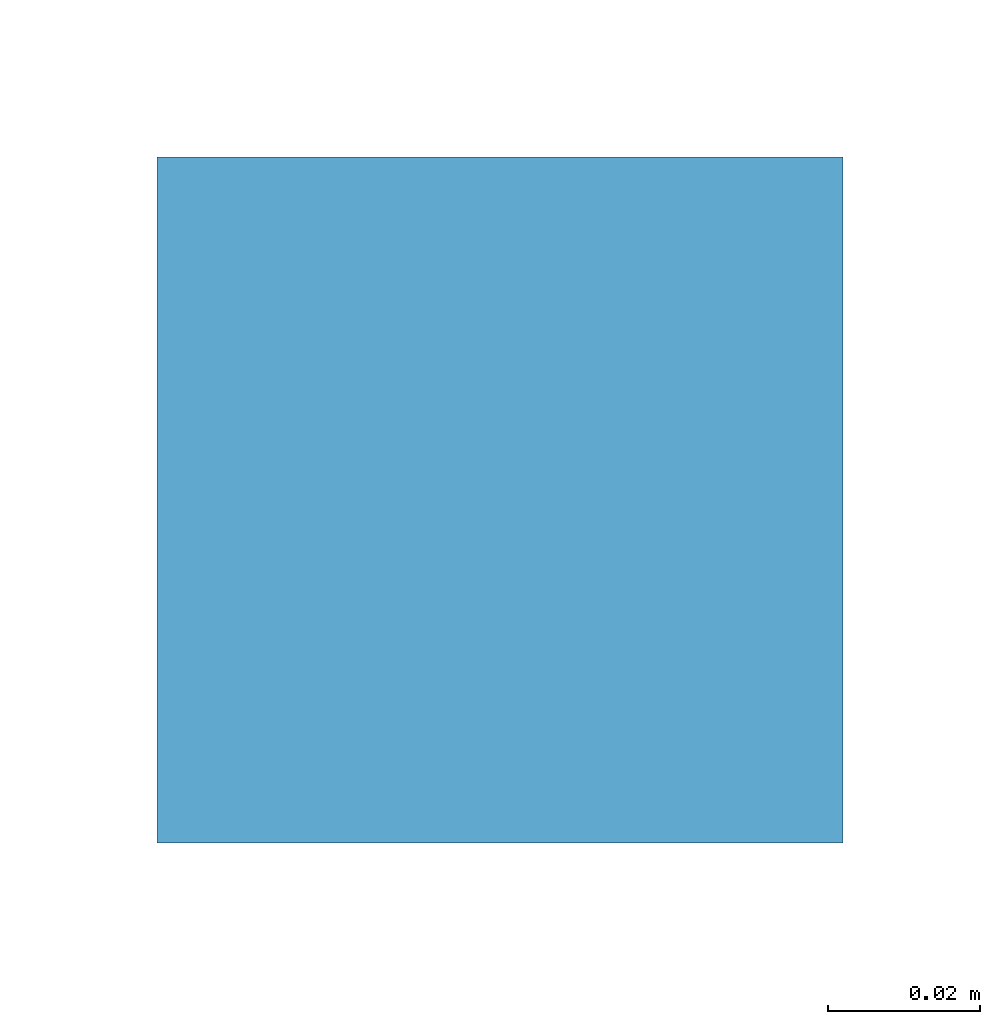
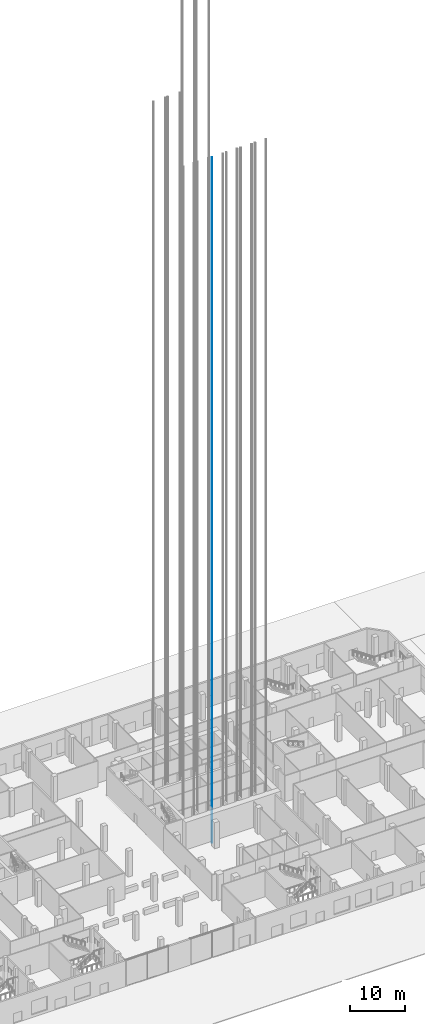
# One storey, part 16 of 55: 1 member.
"""IFC4 building model written with IfcOpenShell, lengths in metres."""

import ifcopenshell
import ifcopenshell.guid

model = None  # the IFC model being written
_history = None  # IfcOwnerHistory: only IFC2X3 demands one
_inside = {}  # id of a spatial element -> (the spatial element, [elements in it])
_under = {}  # id of a project, library or spatial element -> (it, [spatial elements below it])
_declared = {}  # id of a project -> (the project, [libraries it declares])
_typed = {}  # id of a type object -> (the type object, [elements of that type])
_made_of = {}  # id of a material, layer set ... -> (it, [elements and type objects made of it])


def new_model(schema):
    """Start an empty IFC model of exactly this schema.

    Asked for "IFC4X3", IfcOpenShell would pick the latest addendum, in which some entities
    have other attributes; the version numbers below select the first issue.
    IFC2X3 requires an IfcOwnerHistory on every rooted entity: one is made here for all.
    """
    global model, _history
    if schema == "IFC4X3":
        model = ifcopenshell.file(schema_version=(4, 3, 0, 0))
    else:
        model = ifcopenshell.file(schema=schema)
    _inside.clear()
    _under.clear()
    _declared.clear()
    _typed.clear()
    _made_of.clear()
    _history = None
    if model.schema == "IFC2X3":
        org = make("IfcOrganization", Name="unknown")
        user = make(
            "IfcPersonAndOrganization",
            ThePerson=make("IfcPerson", FamilyName="unknown"),
            TheOrganization=org,
        )
        app = make(
            "IfcApplication",
            ApplicationDeveloper=org,
            Version="unknown",
            ApplicationFullName="unknown",
            ApplicationIdentifier="unknown",
        )
        _history = make(
            "IfcOwnerHistory",
            OwningUser=user,
            OwningApplication=app,
            ChangeAction="ADDED",
            CreationDate=0,
        )
    return model


def make(cls, **values):
    """One entity of the class cls with the attributes given. An attribute that is None is left unset."""
    return model.create_entity(
        cls, **{name: value for name, value in values.items() if value is not None}
    )


def rooted(cls, **values):
    """An entity with a GlobalId (a new one), such as an element, a storey or a relation."""
    return make(cls, GlobalId=ifcopenshell.guid.new(), OwnerHistory=_history, **values)


def si_unit(unit_type, name, prefix=None):
    """IfcSIUnit, for example si_unit("LENGTHUNIT", "METRE", prefix="MILLI")."""
    return make("IfcSIUnit", UnitType=unit_type, Prefix=prefix, Name=name)


def assignment(units):
    """IfcUnitAssignment: the units of a project."""
    return None if units is None else make("IfcUnitAssignment", Units=units)


def point(xyz):
    """IfcCartesianPoint."""
    return None if xyz is None else make("IfcCartesianPoint", Coordinates=xyz)


def direction(xyz):
    """IfcDirection."""
    return None if xyz is None else make("IfcDirection", DirectionRatios=xyz)


def frame(location, z_axis=None, x_axis=None):
    """IfcAxis2Placement3D, a coordinate frame: its origin and axes. An axis left out is left unset."""
    return make(
        "IfcAxis2Placement3D",
        Location=point(location),
        Axis=direction(z_axis),
        RefDirection=direction(x_axis),
    )


def frame_2d(location, x_axis=None):
    """IfcAxis2Placement2D, a coordinate frame in the plane: its origin and x axis."""
    return make(
        "IfcAxis2Placement2D", Location=point(location), RefDirection=direction(x_axis)
    )


def origin():
    """The frame at (0, 0, 0) with its axes left unset."""
    return frame((0.0, 0.0, 0.0))


def origin_2d():
    """The frame at (0, 0) in the plane with its x axis left unset."""
    return frame_2d((0.0, 0.0))


def place(relative_to, where):
    """IfcLocalPlacement: puts the frame where relative to a parent placement (None: the world)."""
    return make(
        "IfcLocalPlacement", PlacementRelTo=relative_to, RelativePlacement=where
    )


def context(
    kind, dimensions, precision=None, world=None, true_north=None, identifier=None
):
    """IfcGeometricRepresentationContext, for example the 3D "Model" context."""
    return make(
        "IfcGeometricRepresentationContext",
        ContextIdentifier=identifier,
        ContextType=kind,
        CoordinateSpaceDimension=dimensions,
        Precision=precision,
        WorldCoordinateSystem=world,
        TrueNorth=true_north,
    )


def subcontext(parent, identifier, kind, view, scale=None):
    """IfcGeometricRepresentationSubContext, for example "Body" below "Model"."""
    return make(
        "IfcGeometricRepresentationSubContext",
        ContextIdentifier=identifier,
        ContextType=kind,
        ParentContext=parent,
        TargetScale=scale,
        TargetView=view,
    )


def project(units=None, contexts=None):
    """IfcProject with its units and contexts."""
    return rooted(
        "IfcProject",
        Name="project",
        RepresentationContexts=contexts,
        UnitsInContext=assignment(units),
    )


def spatial(cls, under=None, at=None, **own):
    """A site, building, storey or space (cls), placed at a placement, below another one or the project."""
    s = rooted(cls, ObjectPlacement=at, **own)
    if under is not None:
        _under.setdefault(under.id(), (under, []))[1].append(s)
    return s


def profile(cls, at=None, kind="AREA", **sizes):
    """A parametric profile (cls). Its sizes go by their IFC names, for example OverallWidth=200.0."""
    return make(cls, ProfileType=kind, Position=at, **sizes)


def rectangle(**sizes):
    """IfcRectangleProfileDef."""
    return profile("IfcRectangleProfileDef", **sizes)


def extrude(swept, where, along, depth):
    """IfcExtrudedAreaSolid: the profile swept, set in the frame where, extruded along a direction by depth."""
    return make(
        "IfcExtrudedAreaSolid",
        SweptArea=swept,
        Position=where,
        ExtrudedDirection=direction(along),
        Depth=depth,
    )


def shape(context_of_items, identifier, shape_type, items):
    """IfcShapeRepresentation: the items that make up one representation, for example the "Body"."""
    return make(
        "IfcShapeRepresentation",
        ContextOfItems=context_of_items,
        RepresentationIdentifier=identifier,
        RepresentationType=shape_type,
        Items=items,
    )


def material(Name=None, Category=None):
    """IfcMaterial."""
    return make("IfcMaterial", Name=Name, Category=Category)


def material_profile(
    of_material, cross_section, Name=None, Category=None, Priority=None
):
    """IfcMaterialProfile: a cross section and its material."""
    return make(
        "IfcMaterialProfile",
        Name=Name,
        Material=of_material,
        Profile=cross_section,
        Priority=Priority,
        Category=Category,
    )


def profile_set(profiles, Name=None, composite=None):
    """IfcMaterialProfileSet."""
    return make(
        "IfcMaterialProfileSet",
        Name=Name,
        MaterialProfiles=profiles,
        CompositeProfile=composite,
    )


def made_of(thing, what):
    """Note that an element or type object is made of a material, layer set ...; save() writes the relation."""
    if what is not None:
        _made_of.setdefault(what.id(), (what, []))[1].append(thing)
    return thing


def type_object(cls, material=None, **own):
    """A type object (cls), such as IfcWallType, which elements share."""
    return made_of(rooted(cls, **own), material)


def element(
    cls,
    number,
    at=None,
    inside=None,
    cuts=None,
    type_object=None,
    material=None,
    context=None,
    identifier="Body",
    shape_type=None,
    held_by="IfcProductDefinitionShape",
    body=None,
    shapes=None,
    **own,
):
    """One element of the class cls, such as IfcWall. Its Tag is "e" and its number.

    at: its placement. inside: the storey or other place that contains it. cuts: it is an
    opening in that element (IfcRelVoidsElement). A single representation is given by context,
    identifier, shape_type and body (its items); several are given by shapes. held_by: the class
    of the entity that holds the representations. save() writes the other relations.
    """
    e = rooted(cls, Tag="e%d" % number, ObjectPlacement=at, **own)
    if body is not None:
        shapes = [shape(context, identifier, shape_type, body)]
    if shapes is not None:
        e.Representation = make(held_by, Representations=shapes)
    if inside is not None:
        _inside.setdefault(inside.id(), (inside, []))[1].append(e)
    if cuts is not None:
        rooted(
            "IfcRelVoidsElement", RelatingBuildingElement=cuts, RelatedOpeningElement=e
        )
    if type_object is not None:
        _typed.setdefault(type_object.id(), (type_object, []))[1].append(e)
    return made_of(e, material)


def aggregate(whole, parts):
    """IfcRelAggregates: a whole, such as a stair, and the parts it consists of."""
    return rooted("IfcRelAggregates", RelatingObject=whole, RelatedObjects=parts)


def save(model, path):
    """Write the relations noted so far, then the file.

    IfcRelAggregates (storeys below a building ...), IfcRelContainedInSpatialStructure (elements
    in a storey), IfcRelDefinesByType, IfcRelAssociatesMaterial and IfcRelDeclares: one each for
    every whole, place, type object, material and project.
    """
    for whole, parts in _under.values():
        aggregate(whole, parts)
    for where, things in _inside.values():
        rooted(
            "IfcRelContainedInSpatialStructure",
            RelatedElements=things,
            RelatingStructure=where,
        )
    for kind, things in _typed.values():
        rooted("IfcRelDefinesByType", RelatedObjects=things, RelatingType=kind)
    for what, things in _made_of.values():
        rooted("IfcRelAssociatesMaterial", RelatedObjects=things, RelatingMaterial=what)
    for by, libraries in _declared.values():
        rooted("IfcRelDeclares", RelatingContext=by, RelatedDefinitions=libraries)
    model.write(path)


model = new_model("IFC4")

# Units and contexts
model_context = context("Model", 3, precision=1e-05, world=origin(), true_north=direction((0.0, 1.0)))
body_context = subcontext(model_context, "Body", "Model", "MODEL_VIEW")
ifc_project = project(units=[si_unit("LENGTHUNIT", "METRE"), si_unit("AREAUNIT", "SQUARE_METRE"), si_unit("VOLUMEUNIT", "CUBIC_METRE"), si_unit("PLANEANGLEUNIT", "RADIAN"), si_unit("MASSUNIT", "GRAM", prefix="KILO")], contexts=[model_context])

# Site, building, storey
site_placement = place(None, origin())
site = spatial("IfcSite", under=ifc_project, at=site_placement, CompositionType="ELEMENT")
building_placement = place(site_placement, origin())
building = spatial("IfcBuilding", under=site, at=building_placement, Name="Cinnabar Reach Civic Tower", CompositionType="ELEMENT")
storey_placement = place(building_placement, origin())
storey = spatial("IfcBuildingStorey", under=building, at=storey_placement, Name="L00", CompositionType="ELEMENT", Elevation=0.0)

# Member
ifc_material = material(Name="Steel Q355B", Category="steel")
ifc_material_profile = material_profile(ifc_material, rectangle(XDim=0.09, YDim=0.09, at=origin_2d()), Name="T1 lift guide rail")
ifc_profile_set = profile_set([ifc_material_profile], Name="Steel Q355B")
member_type = type_object("IfcMemberType", Name="T1 lift guide rail", PredefinedType="USERDEFINED", material=ifc_profile_set)
member_placement = place(storey_placement, frame((10.87, 22.5, -2.5), z_axis=(0.0, 0.0, 1.0), x_axis=(1.0, 0.0, 0.0)))
element("IfcMember", 1, at=member_placement, inside=storey, type_object=member_type, Name="T1-LR3 guide rail 1", ObjectType="GUIDE RAIL", PredefinedType="USERDEFINED", context=body_context, shape_type="SweptSolid", body=[
    extrude(rectangle(XDim=0.09, YDim=0.09, at=origin_2d()), origin(), (0.0, 0.0, 1.0), 150.9),
])

save(model, "model.ifc")
